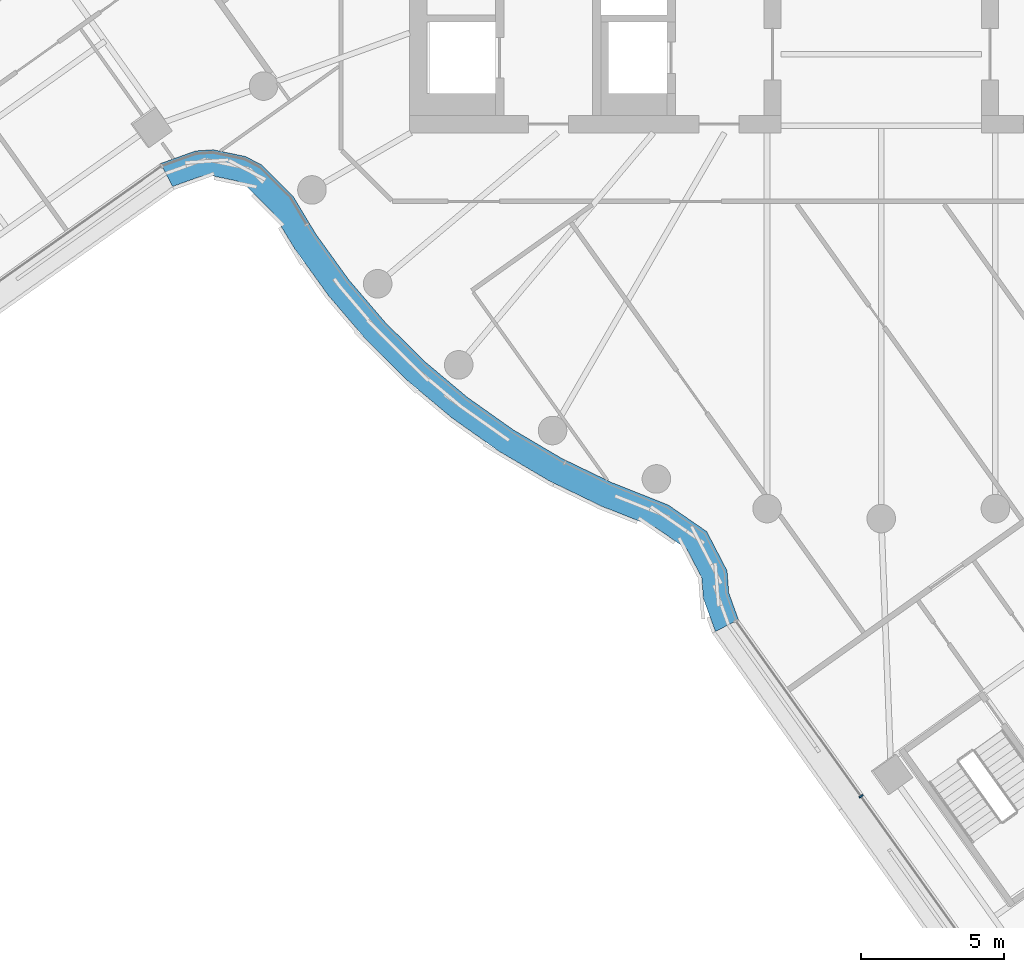
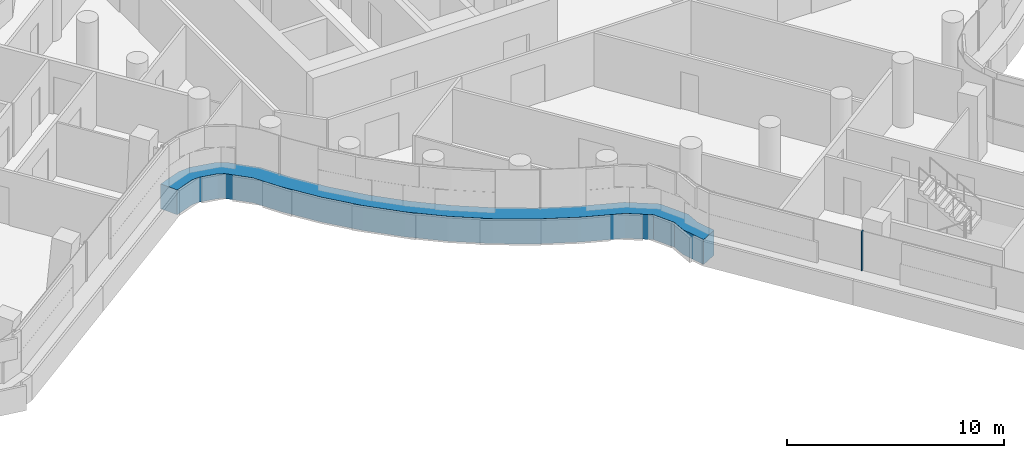
# One storey, part 3 of 31: 2 members, 2 elements without a shape of their own.
"""IFC4 building model written with IfcOpenShell, lengths in metres."""

from ifc_helpers import new_model, si_unit, direction, frame, origin, origin_2d, place, context, subcontext, project, spatial, polyline, rectangle, outline, extrude, material, layer, layer_set, material_profile, profile_set, type_object, element, aggregate, save


model = new_model("IFC4")

# Units and contexts
model_context = context("Model", 3, precision=1e-05, world=origin(), true_north=direction((0.0, 1.0)))
body_context = subcontext(model_context, "Body", "Model", "MODEL_VIEW")
ifc_project = project(units=[si_unit("LENGTHUNIT", "METRE"), si_unit("AREAUNIT", "SQUARE_METRE"), si_unit("VOLUMEUNIT", "CUBIC_METRE"), si_unit("PLANEANGLEUNIT", "RADIAN"), si_unit("MASSUNIT", "GRAM", prefix="KILO")], contexts=[model_context])

# Site, building, storey
site_placement = place(None, origin())
site = spatial("IfcSite", under=ifc_project, at=site_placement, CompositionType="ELEMENT")
building_placement = place(site_placement, origin())
building = spatial("IfcBuilding", under=site, at=building_placement, Name="Tamarind Cross Interchange Tower", CompositionType="ELEMENT")
storey_placement = place(building_placement, frame((0.0, 0.0, 163.0)))
storey = spatial("IfcBuildingStorey", under=building, at=storey_placement, Name="L40", CompositionType="ELEMENT", Elevation=163.0)

# Curtain wall, member
ifc_material_1 = material(Name="Aluminium 6063-T6", Category="aluminium")
ifc_layer = layer(ifc_material_1, 0.159912109375)
ifc_layer_set = layer_set([ifc_layer], Name="Aluminium 6063-T6")
curtain_wall_type = type_object("IfcCurtainWallType", Name="Office curtain wall, 9.0 m bays", PredefinedType="NOTDEFINED", material=ifc_layer_set)
curtain_wall_1_placement = place(storey_placement, origin())
curtain_wall_1 = element("IfcCurtainWall", 1, at=curtain_wall_1_placement, inside=storey, type_object=curtain_wall_type, Name="CWS-L40-14", PredefinedType="NOTDEFINED")
ifc_material_2 = material(Name="Aluminium and insulated spandrel panel", Category="aluminium")
member_type_1 = type_object("IfcMemberType", Name="Floor-edge blade transom", PredefinedType="USERDEFINED", material=ifc_material_2)
member_1_placement = place(storey_placement, origin())
member_1 = element("IfcMember", 2, at=member_1_placement, type_object=member_type_1, Name="CWT-L40-14", ObjectType="TRANSOM", PredefinedType="USERDEFINED", context=body_context, shape_type="SweptSolid", body=[
    extrude(outline(polyline([(-25.2158203125, -10.57421875), (-23.9921875, -10.13525390625), (-23.376708984375, -10.0927734375), (-22.240234375, -10.3310546875), (-21.690185546875, -10.619140625), (-20.576904296875, -11.727294921875), (-19.781494140625, -13.04541015625), (-18.636474609375, -14.634521484375), (-17.3642578125, -16.12353515625), (-15.973388671875, -17.50244140625), (-14.4736328125, -18.76171875), (-12.874755859375, -19.892822265625), (-11.188232421875, -20.88818359375), (-9.423583984375, -21.7412109375), (-7.455078125, -22.521484375), (-6.105224609375, -23.452880859375), (-5.393798828125, -24.8251953125), (-5.335205078125, -25.5986328125), (-4.996826171875, -26.531982421875), (-5.80078125, -26.95458984375), (-6.223388671875, -25.78955078125), (-6.27734375, -25.076416015625), (-6.801025390625, -24.066162109375), (-7.8818359375, -23.320556640625), (-9.785888671875, -22.56591796875), (-11.613525390625, -21.68212890625), (-13.3642578125, -20.64892578125), (-15.023681640625, -19.474853515625), (-16.580810546875, -18.167724609375), (-18.0244140625, -16.736572265625), (-19.344970703125, -15.19091796875), (-20.532958984375, -13.541748046875), (-21.290283203125, -12.287109375), (-22.228515625, -11.35302734375), (-22.547119140625, -11.186279296875), (-23.439208984375, -10.999267578125), (-23.8056640625, -11.024658203125), (-24.79541015625, -11.379638671875), (-25.2158203125, -10.57421875)])), origin(), (0.0, 0.0, 1.0), 1.39990234375),
])
aggregate(curtain_wall_1, [member_1])

curtain_wall_2_placement = place(storey_placement, origin())
curtain_wall_2 = element("IfcCurtainWall", 3, at=curtain_wall_2_placement, inside=storey, type_object=curtain_wall_type, Name="CWS-L40-15", PredefinedType="NOTDEFINED")
ifc_material_profile = material_profile(ifc_material_1, rectangle(XDim=0.06005859375, YDim=0.159912109375, at=origin_2d()), Name="Mullion CW1")
ifc_profile_set = profile_set([ifc_material_profile], Name="Aluminium 6063-T6")
member_type_2 = type_object("IfcMemberType", Name="Mullion CW1", PredefinedType="MULLION", material=ifc_profile_set)
member_2_placement = place(storey_placement, frame((-0.70556640625, -32.715087890625, 1.39990234375), z_axis=(0.0, 0.0, 1.0), x_axis=(0.581032556811, -0.81388031548, 0.0)))
member_2 = element("IfcMember", 4, at=member_2_placement, type_object=member_type_2, Name="CWM-L40-15-01", PredefinedType="MULLION", context=body_context, shape_type="SweptSolid", body=[
    extrude(rectangle(XDim=0.06005859375, YDim=0.159912109375, at=origin_2d()), origin(), (0.0, 0.0, 1.0), 2.210205078125),
])
aggregate(curtain_wall_2, [member_2])

save(model, "model.ifc")
